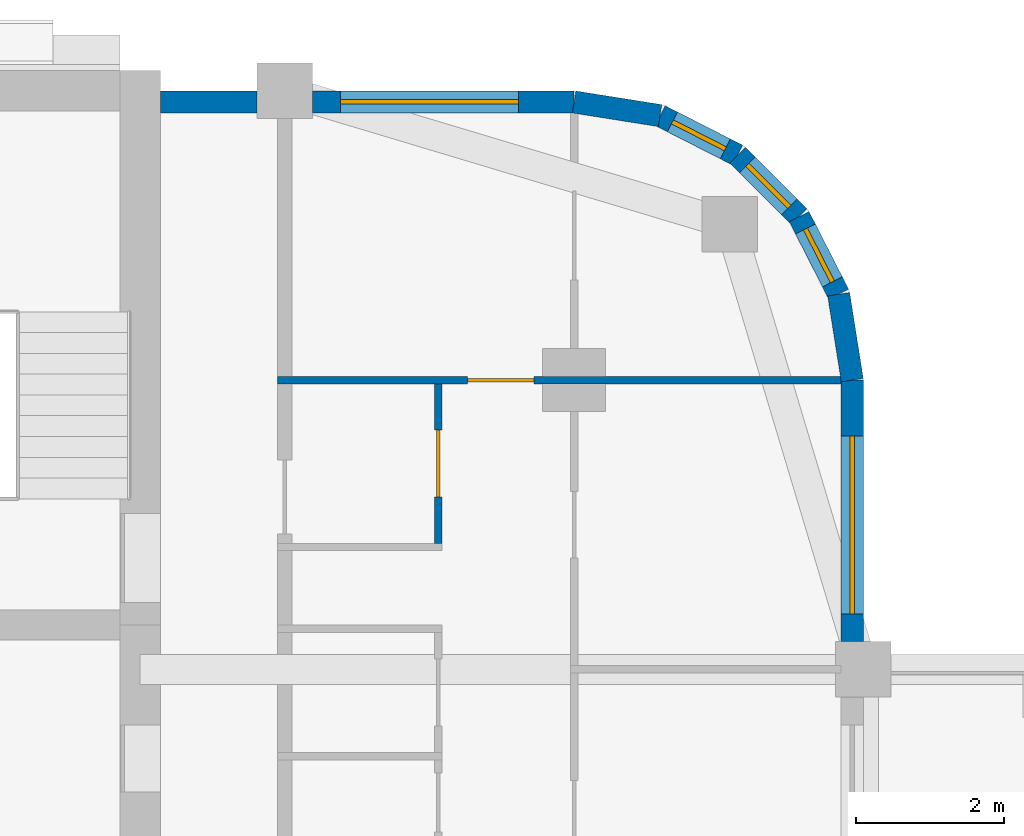
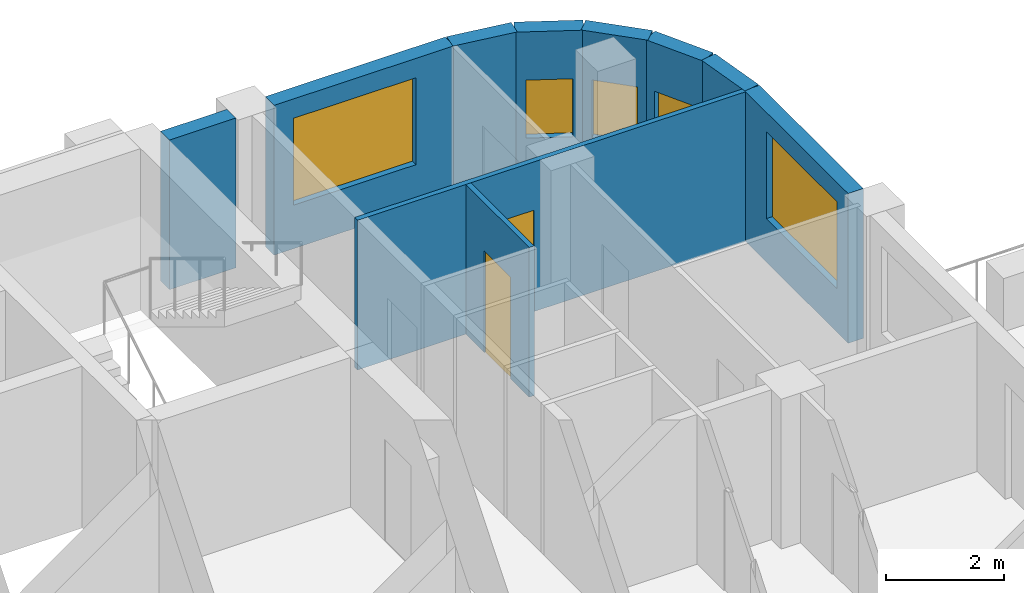
# One storey, part 9 of 13: 10 walls, 5 windows, 2 doors, 7 openings.
"""IFC4 building model written with IfcOpenShell, lengths in metres."""

from ifc_helpers import new_model, si_unit, direction, frame, frame_2d, origin, place, context, subcontext, project, spatial, rectangle, extrude, material, layer, layer_set, type_object, element, fill, save


model = new_model("IFC4")

# Units and contexts
model_context = context("Model", 3, precision=1e-05, world=origin(), true_north=direction((0.0, 1.0)))
body_context = subcontext(model_context, "Body", "Model", "MODEL_VIEW")
ifc_project = project(units=[si_unit("LENGTHUNIT", "METRE"), si_unit("AREAUNIT", "SQUARE_METRE"), si_unit("VOLUMEUNIT", "CUBIC_METRE"), si_unit("PLANEANGLEUNIT", "RADIAN"), si_unit("MASSUNIT", "GRAM", prefix="KILO")], contexts=[model_context])

# Site, building, storey
site_placement = place(None, origin())
site = spatial("IfcSite", under=ifc_project, at=site_placement, CompositionType="ELEMENT")
building_placement = place(site_placement, origin())
building = spatial("IfcBuilding", under=site, at=building_placement, Name="Ludao Terraces", CompositionType="ELEMENT")
storey_placement = place(building_placement, frame((0.0, 0.0, 189.39990234375)))
storey = spatial("IfcBuildingStorey", under=building, at=storey_placement, Name="L51", CompositionType="ELEMENT", Elevation=189.39990234375)

# Wall, opening, window
ifc_material_1 = material(Name="Granite cladding", Category="masonry")
ifc_layer_1 = layer(ifc_material_1, 0.0400390625, Category="stone")
ifc_material_2 = material(Name="Mineral wool")
ifc_layer_2 = layer(ifc_material_2, 0.06005859375)
ifc_material_3 = material(Name="Concrete C40", Category="concrete")
ifc_layer_3 = layer(ifc_material_3, 0.199951171875, Category="concrete")
ifc_layer_set_1 = layer_set([ifc_layer_1, ifc_layer_2, ifc_layer_3], Name="ENV Stone-clad wall 300")
wall_type_1 = type_object("IfcWallType", Name="ENV Stone-clad wall 300", PredefinedType="SOLIDWALL", material=ifc_layer_set_1)
wall_1_placement = place(storey_placement, frame((104.35009765625, 77.074951171875, 0.0), z_axis=(0.0, 0.0, 1.0), x_axis=(0.0, 1.0, 0.0)))
wall_1 = element("IfcWall", 1, at=wall_1_placement, inside=storey, type_object=wall_type_1, Name="EW-L51-E5", PredefinedType="SOLIDWALL", context=body_context, shape_type="SweptSolid", body=[
    extrude(rectangle(XDim=3.525146484375, YDim=0.300048828125, at=frame_2d((1.7626953125, 0.0))), origin(), (0.0, 0.0, 1.0), 3.10009765625),
])
opening_1_placement = place(wall_1_placement, frame((0.375, 0.0, 0.89990234375)))
opening_1 = element("IfcOpeningElement", 2, at=opening_1_placement, cuts=wall_1, Name="Opening W1", PredefinedType="OPENING", context=body_context, shape_type="SweptSolid", body=[
    extrude(rectangle(XDim=2.39990234375, YDim=1.800048828125, at=frame_2d((1.199951171875, 0.89990234375))), frame((0.0, 0.16015625, 0.0), z_axis=(0.0, -1.0, 0.0), x_axis=(1.0, 0.0, 0.0)), (0.0, 0.0, 1.0), 0.320068359375),
])
ifc_material_4 = material(Name="Clear glass in aluminium frame", Category="aluminium")
ifc_layer_4 = layer(ifc_material_4, 0.06005859375)
ifc_layer_set_2 = layer_set([ifc_layer_4], Name="ENV Window W1 2400x1800")
window_type_1 = type_object("IfcWindowType", Name="ENV Window W1 2400x1800", PartitioningType="DOUBLE_PANEL_VERTICAL", PredefinedType="WINDOW", material=ifc_layer_set_2)
window_1_placement = place(opening_1_placement, origin())
window_1 = element("IfcWindow", 3, at=window_1_placement, inside=storey, type_object=window_type_1, Name="W-L51-E5-1", OverallHeight=1.800048828125, OverallWidth=2.39990234375, PartitioningType="DOUBLE_PANEL_VERTICAL", PredefinedType="WINDOW", context=body_context, shape_type="SweptSolid", body=[
    extrude(rectangle(XDim=2.39990234375, YDim=1.800048828125, at=frame_2d((1.199951171875, 0.89990234375))), frame((0.0, 0.030029296875, 0.0), z_axis=(0.0, -1.0, 0.0), x_axis=(1.0, 0.0, 0.0)), (0.0, 0.0, 1.0), 0.06005859375),
])
fill(opening_1, window_1)

# Wall
wall_2_placement = place(storey_placement, frame((95.02490234375, 84.35009765625, 0.0), z_axis=(0.0, 0.0, 1.0), x_axis=(1.0, 0.0, 0.0)))
element("IfcWall", 4, at=wall_2_placement, inside=storey, type_object=wall_type_1, Name="EW-L51-N3", PredefinedType="SOLIDWALL", context=body_context, shape_type="SweptSolid", body=[
    extrude(rectangle(XDim=1.300048828125, YDim=0.300048828125, at=frame_2d((0.64990234375, 0.0))), origin(), (0.0, 0.0, 1.0), 3.10009765625),
])

# Wall, opening, window
wall_3_placement = place(storey_placement, frame((97.074951171875, 84.35009765625, 0.0), z_axis=(0.0, 0.0, 1.0), x_axis=(1.0, 0.0, 0.0)))
wall_3 = element("IfcWall", 5, at=wall_3_placement, inside=storey, type_object=wall_type_1, Name="EW-L51-N4", PredefinedType="SOLIDWALL", context=body_context, shape_type="SweptSolid", body=[
    extrude(rectangle(XDim=3.525146484375, YDim=0.300048828125, at=frame_2d((1.7626953125, 0.0))), origin(), (0.0, 0.0, 1.0), 3.10009765625),
])
opening_2_placement = place(wall_3_placement, frame((0.375, 0.0, 0.89990234375)))
opening_2 = element("IfcOpeningElement", 6, at=opening_2_placement, cuts=wall_3, Name="Opening W1", PredefinedType="OPENING", context=body_context, shape_type="SweptSolid", body=[
    extrude(rectangle(XDim=2.39990234375, YDim=1.800048828125, at=frame_2d((1.199951171875, 0.89990234375))), frame((0.0, 0.16015625, 0.0), z_axis=(0.0, -1.0, 0.0), x_axis=(1.0, 0.0, 0.0)), (0.0, 0.0, 1.0), 0.320068359375),
])
window_2_placement = place(opening_2_placement, origin())
window_2 = element("IfcWindow", 7, at=window_2_placement, inside=storey, type_object=window_type_1, Name="W-L51-N4-1", OverallHeight=1.800048828125, OverallWidth=2.39990234375, PartitioningType="DOUBLE_PANEL_VERTICAL", PredefinedType="WINDOW", context=body_context, shape_type="SweptSolid", body=[
    extrude(rectangle(XDim=2.39990234375, YDim=1.800048828125, at=frame_2d((1.199951171875, 0.89990234375))), frame((0.0, 0.030029296875, 0.0), z_axis=(0.0, -1.0, 0.0), x_axis=(1.0, 0.0, 0.0)), (0.0, 0.0, 1.0), 0.06005859375),
])
fill(opening_2, window_2)

# Wall
wall_4_placement = place(storey_placement, frame((104.35009765625, 80.60009765625, 0.0), z_axis=(0.0, 0.0, 1.0), x_axis=(-0.156496880861, 0.987678452879, 0.0)))
element("IfcWall", 8, at=wall_4_placement, inside=storey, type_object=wall_type_1, Name="EW-L51-NE1", PredefinedType="SOLIDWALL", context=body_context, shape_type="SweptSolid", body=[
    extrude(rectangle(XDim=1.173095703125, YDim=0.300048828125, at=frame_2d((0.58642578125, 0.0))), origin(), (0.0, 0.0, 1.0), 3.10009765625),
])

# Wall, opening, window
wall_5_placement = place(storey_placement, frame((104.16650390625, 81.7587890625, 0.0), z_axis=(0.0, 0.0, 1.0), x_axis=(-0.454025524128, 0.890988677504, 0.0)))
wall_5 = element("IfcWall", 9, at=wall_5_placement, inside=storey, type_object=wall_type_1, Name="EW-L51-NE2", PredefinedType="SOLIDWALL", context=body_context, shape_type="SweptSolid", body=[
    extrude(rectangle(XDim=1.17333984375, YDim=0.300048828125, at=frame_2d((0.586669921875, 0.0))), origin(), (0.0, 0.0, 1.0), 3.10009765625),
])
opening_3_placement = place(wall_5_placement, frame((0.1865234375, 0.0, 0.89990234375)))
opening_3 = element("IfcOpeningElement", 10, at=opening_3_placement, cuts=wall_5, Name="Opening W3", PredefinedType="OPENING", context=body_context, shape_type="SweptSolid", body=[
    extrude(rectangle(XDim=0.800048828125, YDim=1.199951171875, at=frame_2d((0.39990234375, 0.60009765625))), frame((0.0, 0.16015625, 0.0), z_axis=(0.0, -1.0, 0.0), x_axis=(1.0, 0.0, 0.0)), (0.0, 0.0, 1.0), 0.320068359375),
])
ifc_layer_5 = layer(ifc_material_4, 0.06005859375)
ifc_layer_set_3 = layer_set([ifc_layer_5], Name="ENV Window W3 800x1200")
window_type_2 = type_object("IfcWindowType", Name="ENV Window W3 800x1200", PartitioningType="SINGLE_PANEL", PredefinedType="WINDOW", material=ifc_layer_set_3)
window_3_placement = place(opening_3_placement, origin())
window_3 = element("IfcWindow", 11, at=window_3_placement, inside=storey, type_object=window_type_2, Name="W-L51-NE2", OverallHeight=1.199951171875, OverallWidth=0.800048828125, PartitioningType="SINGLE_PANEL", PredefinedType="WINDOW", context=body_context, shape_type="SweptSolid", body=[
    extrude(rectangle(XDim=0.800048828125, YDim=1.199951171875, at=frame_2d((0.39990234375, 0.60009765625))), frame((0.0, 0.030029296875, 0.0), z_axis=(0.0, -1.0, 0.0), x_axis=(1.0, 0.0, 0.0)), (0.0, 0.0, 1.0), 0.06005859375),
])
fill(opening_3, window_3)

wall_6_placement = place(storey_placement, frame((103.6337890625, 82.80419921875, 0.0), z_axis=(0.0, 0.0, 1.0), x_axis=(-0.707106781187, 0.707106781187, 0.0)))
wall_6 = element("IfcWall", 12, at=wall_6_placement, inside=storey, type_object=wall_type_1, Name="EW-L51-NE3", PredefinedType="SOLIDWALL", context=body_context, shape_type="SweptSolid", body=[
    extrude(rectangle(XDim=1.173095703125, YDim=0.300048828125, at=frame_2d((0.58642578125, 0.0))), origin(), (0.0, 0.0, 1.0), 3.10009765625),
])
opening_4_placement = place(wall_6_placement, frame((0.1865234375, 0.0, 0.89990234375)))
opening_4 = element("IfcOpeningElement", 13, at=opening_4_placement, cuts=wall_6, Name="Opening W3", PredefinedType="OPENING", context=body_context, shape_type="SweptSolid", body=[
    extrude(rectangle(XDim=0.800048828125, YDim=1.199951171875, at=frame_2d((0.39990234375, 0.60009765625))), frame((0.0, 0.16015625, 0.0), z_axis=(0.0, -1.0, 0.0), x_axis=(1.0, 0.0, 0.0)), (0.0, 0.0, 1.0), 0.320068359375),
])
window_4_placement = place(opening_4_placement, origin())
window_4 = element("IfcWindow", 14, at=window_4_placement, inside=storey, type_object=window_type_2, Name="W-L51-NE3", OverallHeight=1.199951171875, OverallWidth=0.800048828125, PartitioningType="SINGLE_PANEL", PredefinedType="WINDOW", context=body_context, shape_type="SweptSolid", body=[
    extrude(rectangle(XDim=0.800048828125, YDim=1.199951171875, at=frame_2d((0.39990234375, 0.60009765625))), frame((0.0, 0.030029296875, 0.0), z_axis=(0.0, -1.0, 0.0), x_axis=(1.0, 0.0, 0.0)), (0.0, 0.0, 1.0), 0.06005859375),
])
fill(opening_4, window_4)

wall_7_placement = place(storey_placement, frame((102.80419921875, 83.6337890625, 0.0), z_axis=(0.0, 0.0, 1.0), x_axis=(-0.890988677504, 0.454025524128, 0.0)))
wall_7 = element("IfcWall", 15, at=wall_7_placement, inside=storey, type_object=wall_type_1, Name="EW-L51-NE4", PredefinedType="SOLIDWALL", context=body_context, shape_type="SweptSolid", body=[
    extrude(rectangle(XDim=1.17333984375, YDim=0.300048828125, at=frame_2d((0.586669921875, 0.0))), origin(), (0.0, 0.0, 1.0), 3.10009765625),
])
opening_5_placement = place(wall_7_placement, frame((0.1865234375, 0.0, 0.89990234375)))
opening_5 = element("IfcOpeningElement", 16, at=opening_5_placement, cuts=wall_7, Name="Opening W3", PredefinedType="OPENING", context=body_context, shape_type="SweptSolid", body=[
    extrude(rectangle(XDim=0.800048828125, YDim=1.199951171875, at=frame_2d((0.39990234375, 0.60009765625))), frame((0.0, 0.16015625, 0.0), z_axis=(0.0, -1.0, 0.0), x_axis=(1.0, 0.0, 0.0)), (0.0, 0.0, 1.0), 0.320068359375),
])
window_5_placement = place(opening_5_placement, origin())
window_5 = element("IfcWindow", 17, at=window_5_placement, inside=storey, type_object=window_type_2, Name="W-L51-NE4", OverallHeight=1.199951171875, OverallWidth=0.800048828125, PartitioningType="SINGLE_PANEL", PredefinedType="WINDOW", context=body_context, shape_type="SweptSolid", body=[
    extrude(rectangle(XDim=0.800048828125, YDim=1.199951171875, at=frame_2d((0.39990234375, 0.60009765625))), frame((0.0, 0.030029296875, 0.0), z_axis=(0.0, -1.0, 0.0), x_axis=(1.0, 0.0, 0.0)), (0.0, 0.0, 1.0), 0.06005859375),
])
fill(opening_5, window_5)

# Wall
wall_8_placement = place(storey_placement, frame((101.7587890625, 84.16650390625, 0.0), z_axis=(0.0, 0.0, 1.0), x_axis=(-0.987678452879, 0.156496880861, 0.0)))
element("IfcWall", 18, at=wall_8_placement, inside=storey, type_object=wall_type_1, Name="EW-L51-NE5", PredefinedType="SOLIDWALL", context=body_context, shape_type="SweptSolid", body=[
    extrude(rectangle(XDim=1.173095703125, YDim=0.300048828125, at=frame_2d((0.58642578125, 0.0))), origin(), (0.0, 0.0, 1.0), 3.10009765625),
])

# Wall, opening, door
ifc_material_5 = material(Name="Gypsum plasterboard", Category="gypsum")
ifc_layer_6 = layer(ifc_material_5, 0.012451171875, Category="gypsum")
ifc_layer_7 = layer(ifc_material_2, 0.06005859375, Name="insulation")
ifc_material_6 = material(Name="Steel Q235", Category="steel")
ifc_layer_8 = layer(ifc_material_6, 0.014892578125, Name="stud")
ifc_layer_9 = layer(ifc_material_5, 0.012451171875, Category="gypsum")
ifc_layer_set_4 = layer_set([ifc_layer_6, ifc_layer_7, ifc_layer_8, ifc_layer_9], Name="INT Partition 100")
wall_type_2 = type_object("IfcWallType", Name="INT Partition 100", PredefinedType="PARTITIONING", material=ifc_layer_set_4)
wall_9_placement = place(storey_placement, frame((96.60009765625, 80.60009765625, 0.0), z_axis=(0.0, 0.0, 1.0), x_axis=(1.0, 0.0, 0.0)))
wall_9 = element("IfcWall", 19, at=wall_9_placement, inside=storey, type_object=wall_type_2, Name="PW-L51-PW048", PredefinedType="PARTITIONING", context=body_context, shape_type="SweptSolid", body=[
    extrude(rectangle(XDim=7.60009765625, YDim=0.10009765625, at=frame_2d((3.800048828125, 0.0))), origin(), (0.0, 0.0, 1.0), 3.10009765625),
])
opening_6_placement = place(wall_9_placement, frame((2.56005859375, 0.0, 0.0)))
opening_6 = element("IfcOpeningElement", 20, at=opening_6_placement, cuts=wall_9, Name="Opening R18-087", PredefinedType="OPENING", context=body_context, shape_type="SweptSolid", body=[
    extrude(rectangle(XDim=0.89990234375, YDim=2.10009765625, at=frame_2d((0.449951171875, 1.050048828125))), frame((0.0, 0.06005859375, 0.0), z_axis=(0.0, -1.0, 0.0), x_axis=(1.0, 0.0, 0.0)), (0.0, 0.0, 1.0), 0.1201171875),
])
ifc_material_7 = material(Name="Timber door leaf", Category="wood")
door_type_1 = type_object("IfcDoorType", Name="INT Room door 900", OperationType="SINGLE_SWING_LEFT", PredefinedType="DOOR", material=ifc_material_7)
door_1_placement = place(opening_6_placement, origin())
door_1 = element("IfcDoor", 21, at=door_1_placement, inside=storey, type_object=door_type_1, Name="DOOR 087", OperationType="SINGLE_SWING_RIGHT", OverallHeight=2.10009765625, OverallWidth=0.89990234375, PredefinedType="DOOR", context=body_context, shape_type="SweptSolid", body=[
    extrude(rectangle(XDim=0.89990234375, YDim=2.10009765625, at=frame_2d((0.449951171875, 1.050048828125))), frame((0.0, 0.02490234375, 0.0), z_axis=(0.0, -1.0, 0.0), x_axis=(1.0, 0.0, 0.0)), (0.0, 0.0, 1.0), 0.050048828125),
])
fill(opening_6, door_1)

wall_10_placement = place(storey_placement, frame((98.77001953125, 78.400146484375, 0.0), z_axis=(0.0, 0.0, 1.0), x_axis=(0.0, 1.0, 0.0)))
wall_10 = element("IfcWall", 22, at=wall_10_placement, inside=storey, type_object=wall_type_2, Name="PW-L51-PW063", PredefinedType="PARTITIONING", context=body_context, shape_type="SweptSolid", body=[
    extrude(rectangle(XDim=2.14990234375, YDim=0.10009765625, at=frame_2d((1.074951171875, 0.0))), origin(), (0.0, 0.0, 1.0), 3.10009765625),
])
opening_7_placement = place(wall_10_placement, frame((0.625, 0.0, 0.0)))
opening_7 = element("IfcOpeningElement", 23, at=opening_7_placement, cuts=wall_10, Name="Opening R18-083", PredefinedType="OPENING", context=body_context, shape_type="SweptSolid", body=[
    extrude(rectangle(XDim=0.89990234375, YDim=2.10009765625, at=frame_2d((0.449951171875, 1.050048828125))), frame((0.0, 0.06005859375, 0.0), z_axis=(0.0, -1.0, 0.0), x_axis=(1.0, 0.0, 0.0)), (0.0, 0.0, 1.0), 0.1201171875),
])
door_type_2 = type_object("IfcDoorType", Name="INT Bathroom door 900", OperationType="SINGLE_SWING_LEFT", PredefinedType="DOOR", material=ifc_material_7)
door_2_placement = place(opening_7_placement, origin())
door_2 = element("IfcDoor", 24, at=door_2_placement, inside=storey, type_object=door_type_2, Name="DOOR 083", OperationType="SINGLE_SWING_LEFT", OverallHeight=2.10009765625, OverallWidth=0.89990234375, PredefinedType="DOOR", context=body_context, shape_type="SweptSolid", body=[
    extrude(rectangle(XDim=0.89990234375, YDim=2.10009765625, at=frame_2d((0.449951171875, 1.050048828125))), frame((0.0, 0.02490234375, 0.0), z_axis=(0.0, -1.0, 0.0), x_axis=(1.0, 0.0, 0.0)), (0.0, 0.0, 1.0), 0.050048828125),
])
fill(opening_7, door_2)

save(model, "model.ifc")
